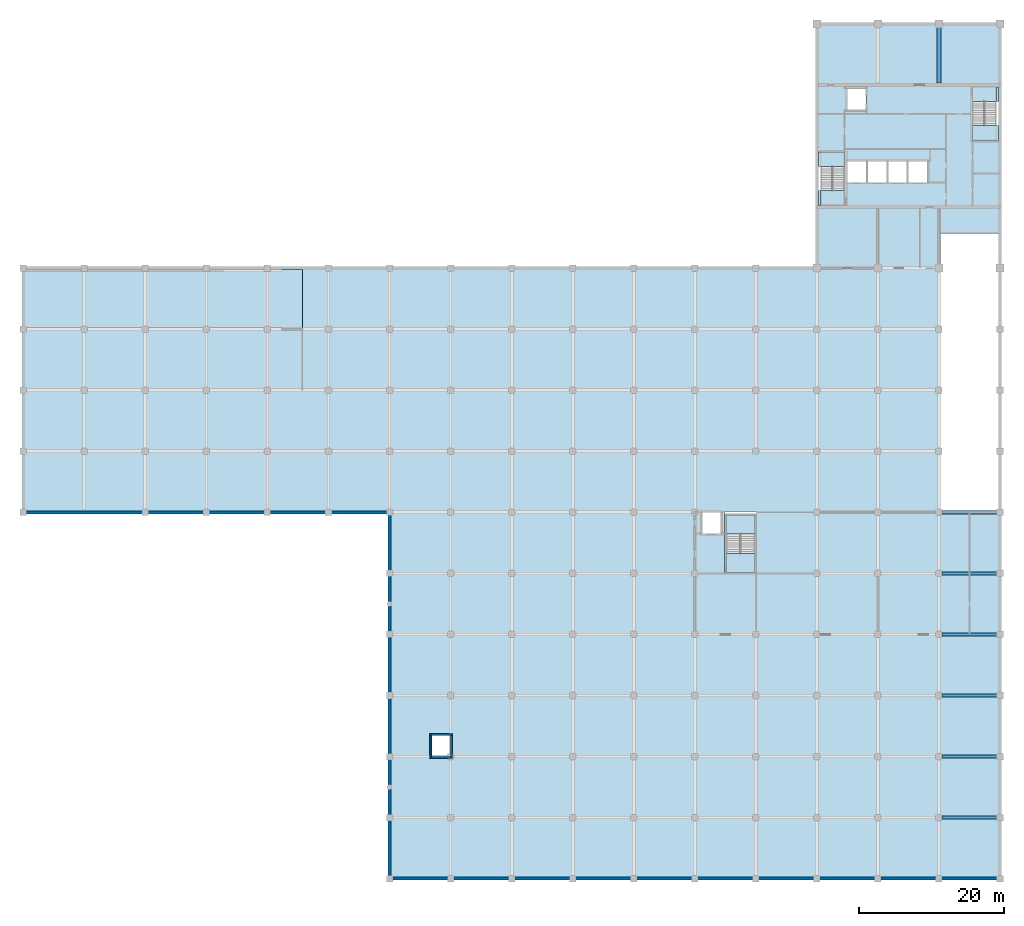
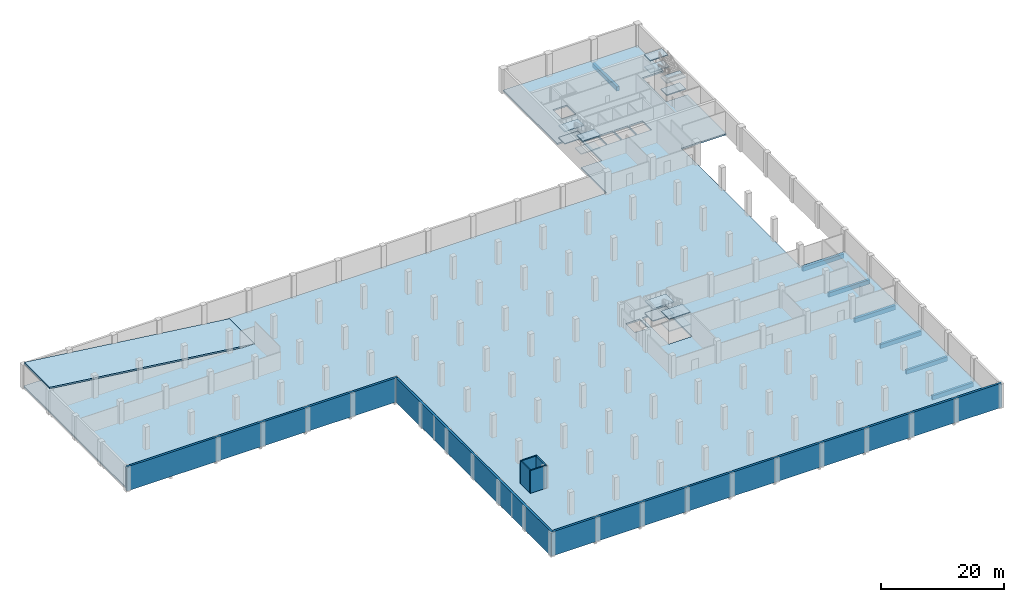
# One storey, part 3 of 13: 14 slabs, 7 beams, 7 walls, 3 elements without a shape of their own.
"""IFC4 building model written with IfcOpenShell, lengths in metres."""

from ifc_helpers import new_model, si_unit, direction, frame, frame_2d, origin, origin_2d, place, context, subcontext, project, spatial, polyline, rectangle, outline, extrude, material, layer, layer_set, material_profile, profile_set, type_object, element, aggregate, save


model = new_model("IFC4")

# Units and contexts
model_context = context("Model", 3, precision=1e-05, world=origin(), true_north=direction((0.0, 1.0)))
body_context = subcontext(model_context, "Body", "Model", "MODEL_VIEW")
ifc_project = project(units=[si_unit("LENGTHUNIT", "METRE"), si_unit("AREAUNIT", "SQUARE_METRE"), si_unit("VOLUMEUNIT", "CUBIC_METRE"), si_unit("PLANEANGLEUNIT", "RADIAN"), si_unit("MASSUNIT", "GRAM", prefix="KILO")], contexts=[model_context])

# Site, building, storey
site_placement = place(None, origin())
site = spatial("IfcSite", under=ifc_project, at=site_placement, CompositionType="ELEMENT")
building_placement = place(site_placement, origin())
building = spatial("IfcBuilding", under=site, at=building_placement, Name="Rulbaag Community and Learning Centre", CompositionType="ELEMENT")
storey_placement = place(building_placement, frame((0.0, 0.0, -4.800048828125)))
storey = spatial("IfcBuildingStorey", under=building, at=storey_placement, Name="B1", CompositionType="ELEMENT", Elevation=-4.800048828125)

# Beams
ifc_material_1 = material(Name="Concrete M40", Category="concrete")
ifc_material_profile_1 = material_profile(ifc_material_1, rectangle(XDim=0.5, YDim=0.85009765625, at=origin_2d()), Name="RB500x850")
ifc_profile_set_1 = profile_set([ifc_material_profile_1], Name="Concrete M40")
beam_type_1 = type_object("IfcBeamType", Name="B18 Core-framing beam, lower zone 500x850 Concrete M40", PredefinedType="BEAM", material=ifc_profile_set_1)
beam_placement = place(storey_placement, frame((159.60009765625, 109.449951171875, -0.724853515625), z_axis=(0.0, 1.0, 0.0), x_axis=(-1.0, 0.0, 0.0)))
element("IfcBeam", 1, at=beam_placement, inside=storey, type_object=beam_type_1, Name="BM-B1-20N-20O", PredefinedType="BEAM", context=body_context, shape_type="SweptSolid", body=[
    extrude(rectangle(XDim=0.5, YDim=0.85009765625, at=origin_2d()), origin(), (0.0, 0.0, 1.0), 7.85009765625),
])
ifc_material_profile_2 = material_profile(ifc_material_1, rectangle(XDim=0.449951171875, YDim=0.85009765625, at=origin_2d()), Name="RB450x850")
ifc_profile_set_2 = profile_set([ifc_material_profile_2], Name="Concrete M40")
beam_type_2 = type_object("IfcBeamType", Name="B24 Basement floor beam 450x850 Concrete M40", PredefinedType="BEAM", material=ifc_profile_set_2)
for number, where, z_axis, x_axis, name in (
    (2, (160.030029296875, 8.39990234375, -0.724853515625), (1.0, 0.0, 0.0), (0.0, 1.0, 0.0), "BM-B1-20B-21B"),
    (3, (160.030029296875, 16.800048828125, -0.724853515625), (1.0, 0.0, 0.0), (0.0, 1.0, 0.0), "BM-B1-20C-21C"),
    (4, (160.030029296875, 25.199951171875, -0.724853515625), (1.0, 0.0, 0.0), (0.0, 1.0, 0.0), "BM-B1-20D-21D"),
    (5, (160.030029296875, 33.60009765625, -0.724853515625), (1.0, 0.0, 0.0), (0.0, 1.0, 0.0), "BM-B1-20E-21E"),
    (6, (160.030029296875, 42.0, -0.724853515625), (1.0, 0.0, 0.0), (0.0, 1.0, 0.0), "BM-B1-20F-21F"),
    (7, (160.030029296875, 50.39990234375, -0.724853515625), (1.0, 0.0, 0.0), (0.0, 1.0, 0.0), "BM-B1-20G-21G"),
):
    element("IfcBeam", number, at=place(storey_placement, frame(where, z_axis=z_axis, x_axis=x_axis)), inside=storey, type_object=beam_type_2, Name=name, PredefinedType="BEAM", context=body_context, shape_type="SweptSolid", body=[
        extrude(rectangle(XDim=0.449951171875, YDim=0.85009765625, at=origin_2d()), origin(), (0.0, 0.0, 1.0), 7.669921875),
    ])

# Stair, slabs
stair_type_1 = type_object("IfcStairType", Name="ST-2000 STAIR 2000 WIDE", PredefinedType="HALF_TURN_STAIR", material=ifc_material_1)
stair_1_placement = place(storey_placement, origin())
stair_1 = element("IfcStair", 8, at=stair_1_placement, inside=storey, type_object=stair_type_1, Name="Stair ST-H3 B1", PredefinedType="HALF_TURN_STAIR")
ifc_layer_1 = layer(ifc_material_1, 0.179931640625)
ifc_layer_set_1 = layer_set([ifc_layer_1], Name="LN-180 LANDING 180 Concrete M40")
slab_type_1 = type_object("IfcSlabType", Name="LN-180 LANDING 180 Concrete M40", PredefinedType="LANDING", material=ifc_layer_set_1)
slab_1_placement = place(storey_placement, frame((0.0, 0.0, 1.02001953125)))
slab_1 = element("IfcSlab", 9, at=slab_1_placement, type_object=slab_type_1, Name="ST-H3 landing 1", PredefinedType="LANDING", context=body_context, shape_type="SweptSolid", body=[
    extrude(outline(polyline([(130.300048828125, 47.41259765625), (130.300048828125, 50.02490234375), (134.300048828125, 50.02490234375), (134.300048828125, 47.41259765625), (130.300048828125, 47.41259765625)])), origin(), (0.0, 0.0, 1.0), 0.179931640625),
])
slab_2_placement = place(storey_placement, frame((0.0, 0.0, 2.219970703125)))
slab_2 = element("IfcSlab", 10, at=slab_2_placement, type_object=slab_type_1, Name="ST-H3 landing 2", PredefinedType="LANDING", context=body_context, shape_type="SweptSolid", body=[
    extrude(outline(polyline([(130.300048828125, 42.10009765625), (130.300048828125, 44.71240234375), (134.300048828125, 44.71240234375), (134.300048828125, 42.10009765625), (130.300048828125, 42.10009765625)])), origin(), (0.0, 0.0, 1.0), 0.18017578125),
])
slab_3_placement = place(storey_placement, frame((0.0, 0.0, 3.420166015625)))
slab_3 = element("IfcSlab", 11, at=slab_3_placement, type_object=slab_type_1, Name="ST-H3 landing 3", PredefinedType="LANDING", context=body_context, shape_type="SweptSolid", body=[
    extrude(outline(polyline([(130.300048828125, 47.41259765625), (130.300048828125, 50.02490234375), (134.300048828125, 50.02490234375), (134.300048828125, 47.41259765625), (130.300048828125, 47.41259765625)])), origin(), (0.0, 0.0, 1.0), 0.179931640625),
])
slab_4_placement = place(storey_placement, frame((0.0, 0.0, 4.6201171875)))
slab_4 = element("IfcSlab", 12, at=slab_4_placement, type_object=slab_type_1, Name="ST-H3 landing 4", PredefinedType="LANDING", context=body_context, shape_type="SweptSolid", body=[
    extrude(outline(polyline([(130.300048828125, 42.10009765625), (130.300048828125, 44.71240234375), (134.300048828125, 44.71240234375), (134.300048828125, 42.10009765625), (130.300048828125, 42.10009765625)])), origin(), (0.0, 0.0, 1.0), 0.179931640625),
])
aggregate(stair_1, [slab_1, slab_2, slab_3, slab_4])

stair_type_2 = type_object("IfcStairType", Name="ST-1650 STAIR 1650 WIDE", PredefinedType="HALF_TURN_STAIR", material=ifc_material_1)
stair_2_placement = place(storey_placement, origin())
stair_2 = element("IfcStair", 13, at=stair_2_placement, inside=storey, type_object=stair_type_2, Name="Stair ST1 B1", PredefinedType="HALF_TURN_STAIR")
slab_5_placement = place(storey_placement, frame((0.0, 0.0, 1.02001953125)))
slab_5 = element("IfcSlab", 14, at=slab_5_placement, type_object=slab_type_1, Name="ST1 landing 1", PredefinedType="LANDING", context=body_context, shape_type="SweptSolid", body=[
    extrude(outline(polyline([(143.0, 97.97509765625), (143.0, 100.0), (146.60009765625, 100.0), (146.60009765625, 97.97509765625), (143.0, 97.97509765625)])), origin(), (0.0, 0.0, 1.0), 0.179931640625),
])
slab_6_placement = place(storey_placement, frame((0.0, 0.0, 2.219970703125)))
slab_6 = element("IfcSlab", 15, at=slab_6_placement, type_object=slab_type_1, Name="ST1 landing 2", PredefinedType="LANDING", context=body_context, shape_type="SweptSolid", body=[
    extrude(outline(polyline([(143.0, 92.64990234375), (143.0, 94.675048828125), (146.60009765625, 94.675048828125), (146.60009765625, 92.64990234375), (143.0, 92.64990234375)])), origin(), (0.0, 0.0, 1.0), 0.18017578125),
])
slab_7_placement = place(storey_placement, frame((0.0, 0.0, 3.420166015625)))
slab_7 = element("IfcSlab", 16, at=slab_7_placement, type_object=slab_type_1, Name="ST1 landing 3", PredefinedType="LANDING", context=body_context, shape_type="SweptSolid", body=[
    extrude(outline(polyline([(143.0, 97.97509765625), (143.0, 100.0), (146.60009765625, 100.0), (146.60009765625, 97.97509765625), (143.0, 97.97509765625)])), origin(), (0.0, 0.0, 1.0), 0.179931640625),
])
slab_8_placement = place(storey_placement, frame((0.0, 0.0, 4.6201171875)))
slab_8 = element("IfcSlab", 17, at=slab_8_placement, type_object=slab_type_1, Name="ST1 landing 4", PredefinedType="LANDING", context=body_context, shape_type="SweptSolid", body=[
    extrude(outline(polyline([(143.300048828125, 92.64990234375), (143.300048828125, 94.675048828125), (146.60009765625, 94.675048828125), (146.60009765625, 92.64990234375), (143.300048828125, 92.64990234375)])), origin(), (0.0, 0.0, 1.0), 0.179931640625),
])
aggregate(stair_2, [slab_5, slab_6, slab_7, slab_8])

stair_3_placement = place(storey_placement, origin())
stair_3 = element("IfcStair", 18, at=stair_3_placement, inside=storey, type_object=stair_type_2, Name="Stair ST2 B1", PredefinedType="HALF_TURN_STAIR")
slab_9_placement = place(storey_placement, frame((0.0, 0.0, 1.02001953125)))
slab_9 = element("IfcSlab", 19, at=slab_9_placement, type_object=slab_type_1, Name="ST2 landing 1", PredefinedType="LANDING", context=body_context, shape_type="SweptSolid", body=[
    extrude(outline(polyline([(164.199951171875, 101.60009765625), (164.199951171875, 103.625), (167.800048828125, 103.625), (167.800048828125, 101.60009765625), (164.199951171875, 101.60009765625)])), origin(), (0.0, 0.0, 1.0), 0.179931640625),
])
slab_10_placement = place(storey_placement, frame((0.0, 0.0, 2.219970703125)))
slab_10 = element("IfcSlab", 20, at=slab_10_placement, type_object=slab_type_1, Name="ST2 landing 2", PredefinedType="LANDING", context=body_context, shape_type="SweptSolid", body=[
    extrude(outline(polyline([(164.199951171875, 106.925048828125), (164.199951171875, 108.949951171875), (167.800048828125, 108.949951171875), (167.800048828125, 106.925048828125), (164.199951171875, 106.925048828125)])), origin(), (0.0, 0.0, 1.0), 0.18017578125),
])
slab_11_placement = place(storey_placement, frame((0.0, 0.0, 3.420166015625)))
slab_11 = element("IfcSlab", 21, at=slab_11_placement, type_object=slab_type_1, Name="ST2 landing 3", PredefinedType="LANDING", context=body_context, shape_type="SweptSolid", body=[
    extrude(outline(polyline([(164.199951171875, 101.60009765625), (164.199951171875, 103.625), (167.800048828125, 103.625), (167.800048828125, 101.60009765625), (164.199951171875, 101.60009765625)])), origin(), (0.0, 0.0, 1.0), 0.179931640625),
])
slab_12_placement = place(storey_placement, frame((0.0, 0.0, 4.6201171875)))
slab_12 = element("IfcSlab", 22, at=slab_12_placement, type_object=slab_type_1, Name="ST2 landing 4", PredefinedType="LANDING", context=body_context, shape_type="SweptSolid", body=[
    extrude(outline(polyline([(164.199951171875, 106.925048828125), (164.199951171875, 108.949951171875), (167.5, 108.949951171875), (167.5, 106.925048828125), (164.199951171875, 106.925048828125)])), origin(), (0.0, 0.0, 1.0), 0.179931640625),
])
aggregate(stair_3, [slab_9, slab_10, slab_11, slab_12])

# Slabs
ifc_material_2 = material(Name="Concrete M35", Category="concrete")
ifc_layer_2 = layer(ifc_material_2, 0.300048828125)
ifc_layer_set_2 = layer_set([ifc_layer_2], Name="S2 Ramp slab 300 Concrete M35")
slab_type_2 = type_object("IfcSlabType", Name="S2 Ramp slab 300 Concrete M35", PredefinedType="USERDEFINED", material=ifc_layer_set_2)
slab_13_placement = place(storey_placement, frame((33.60009765625, 75.60009765625, 4.800048828125), z_axis=(0.124036287512, 0.0, 0.992277682597), x_axis=(0.992277682597, 0.0, -0.124036287512)))
element("IfcSlab", 23, at=slab_13_placement, inside=storey, type_object=slab_type_2, Name="SL-R1", ObjectType="RAMP", PredefinedType="USERDEFINED", context=body_context, shape_type="SweptSolid", body=[
    extrude(outline(polyline([(0.0, 0.0), (38.698746346127564, 0.0), (38.698746346127564, 8.199951171874998), (0.0, 8.199951171874998), (0.0, 0.0)])), origin(), (0.0, 0.0, -1.0), 0.300048828125),
])
ifc_layer_3 = layer(ifc_material_1, 0.300048828125)
ifc_layer_set_3 = layer_set([ifc_layer_3], Name="S5 Floor slab 300 Concrete M40")
slab_type_3 = type_object("IfcSlabType", Name="S5 Floor slab 300 Concrete M40", PredefinedType="FLOOR", material=ifc_layer_set_3)
slab_14_placement = place(storey_placement, frame((0.0, 0.0, -0.300048828125)))
element("IfcSlab", 24, at=slab_14_placement, inside=storey, type_object=slab_type_3, Name="SL-B1-C01", PredefinedType="FLOOR", context=body_context, shape_type="SweptSolid", body=[
    extrude(outline(polyline([(168.0, 0.0), (84.0, 0.0), (84.0, 50.39990234375), (33.60009765625, 50.39990234375), (33.60009765625, 84.0), (142.800048828125, 84.0), (142.800048828125, 92.300048828125), (146.699951171875, 92.300048828125), (146.699951171875, 100.10009765625), (142.800048828125, 100.10009765625), (142.800048828125, 117.60009765625), (168.0, 117.60009765625), (168.0, 109.300048828125), (164.10009765625, 109.300048828125), (164.10009765625, 101.5), (168.0, 101.5), (168.0, 88.800048828125), (167.699951171875, 88.800048828125), (167.699951171875, 88.860107421875), (159.60009765625, 88.860107421875), (159.60009765625, 50.39990234375), (168.0, 50.39990234375), (168.0, 0.0)]), holes=[polyline([(89.800048828125, 19.699951171875), (89.800048828125, 16.800048828125), (92.39990234375, 16.800048828125), (92.39990234375, 19.699951171875), (89.800048828125, 19.699951171875)]), polyline([(134.5, 50.5), (130.10009765625, 50.5), (130.10009765625, 41.89990234375), (134.5, 41.89990234375), (134.5, 50.5)]), polyline([(129.60009765625, 50.39990234375), (127.0, 50.39990234375), (127.0, 47.5), (129.60009765625, 47.5), (129.60009765625, 50.39990234375)]), polyline([(69.53125, 83.800048828125), (69.53125, 75.60009765625), (72.0, 75.60009765625), (72.0, 83.800048828125), (69.53125, 83.800048828125)]), polyline([(149.60009765625, 98.699951171875), (147.0, 98.699951171875), (147.0, 95.800048828125), (149.60009765625, 95.800048828125), (149.60009765625, 98.699951171875)]), polyline([(147.0, 108.699951171875), (147.0, 105.800048828125), (149.60009765625, 105.800048828125), (149.60009765625, 108.699951171875), (147.0, 108.699951171875)]), polyline([(152.39990234375, 98.699951171875), (149.800048828125, 98.699951171875), (149.800048828125, 95.800048828125), (152.39990234375, 95.800048828125), (152.39990234375, 98.699951171875)]), polyline([(155.199951171875, 98.699951171875), (152.60009765625, 98.699951171875), (152.60009765625, 95.800048828125), (155.199951171875, 95.800048828125), (155.199951171875, 98.699951171875)]), polyline([(158.0, 98.699951171875), (155.39990234375, 98.699951171875), (155.39990234375, 95.800048828125), (158.0, 95.800048828125), (158.0, 98.699951171875)])]), origin(), (0.0, 0.0, 1.0), 0.300048828125),
])

# Walls
ifc_layer_4 = layer(ifc_material_1, 0.39990234375)
ifc_layer_set_4 = layer_set([ifc_layer_4], Name="W10 Retaining wall 400 Concrete M40")
wall_type_1 = type_object("IfcWallType", Name="W10 Retaining wall 400 Concrete M40", PredefinedType="SOLIDWALL", material=ifc_layer_set_4)
wall_placement = place(storey_placement, frame((83.800048828125, 0.0, -0.300048828125), z_axis=(0.0, 0.0, 1.0), x_axis=(1.0, 0.0, 0.0)))
element("IfcWall", 25, at=wall_placement, inside=storey, type_object=wall_type_1, Name="WL-RET-1-B1", PredefinedType="SOLIDWALL", context=body_context, shape_type="SweptSolid", body=[
    extrude(rectangle(XDim=84.39990234375, YDim=0.39990234375, at=frame_2d((42.199951171875, 0.0))), origin(), (0.0, 0.0, 1.0), 4.800048828125),
])
for number, where, z_axis, x_axis, name in (
    (26, (33.39990234375, 50.39990234375, -0.300048828125), (0.0, 0.0, 1.0), (1.0, 0.0, 0.0), "WL-RET-7-B1"),
    (27, (84.0, 50.60009765625, -0.300048828125), (0.0, 0.0, 1.0), (0.0, -1.0, 0.0), "WL-RET-8-B1"),
):
    element("IfcWall", number, at=place(storey_placement, frame(where, z_axis=z_axis, x_axis=x_axis)), inside=storey, type_object=wall_type_1, Name=name, PredefinedType="SOLIDWALL", context=body_context, shape_type="SweptSolid", body=[
        extrude(rectangle(XDim=50.800048828125, YDim=0.39990234375, at=frame_2d((25.39990234375, 0.0))), origin(), (0.0, 0.0, 1.0), 4.800048828125),
    ])
ifc_layer_5 = layer(ifc_material_1, 0.25)
ifc_layer_set_5 = layer_set([ifc_layer_5], Name="W8 Lift shaft wall 250 Concrete M40")
wall_type_2 = type_object("IfcWallType", Name="W8 Lift shaft wall 250 Concrete M40", PredefinedType="SHEAR", material=ifc_layer_set_5)
for number, where, z_axis, x_axis, name in (
    (28, (89.550048828125, 16.675048828125, -0.300048828125), (0.0, 0.0, 1.0), (1.0, 0.0, 0.0), "WL-LH2-S-B1"),
    (29, (89.550048828125, 19.824951171875, -0.300048828125), (0.0, 0.0, 1.0), (1.0, 0.0, 0.0), "WL-LH2-N-B1"),
):
    element("IfcWall", number, at=place(storey_placement, frame(where, z_axis=z_axis, x_axis=x_axis)), inside=storey, type_object=wall_type_2, Name=name, PredefinedType="SHEAR", context=body_context, shape_type="SweptSolid", body=[
        extrude(rectangle(XDim=3.099853515625, YDim=0.25, at=frame_2d((1.5498046875, 0.0))), origin(), (0.0, 0.0, 1.0), 4.800048828125),
    ])
for number, where, z_axis, x_axis, name in (
    (30, (89.675048828125, 16.800048828125, -0.300048828125), (0.0, 0.0, 1.0), (0.0, 1.0, 0.0), "WL-LH2-W-B1"),
    (31, (92.52490234375, 16.800048828125, -0.300048828125), (0.0, 0.0, 1.0), (0.0, 1.0, 0.0), "WL-LH2-E-B1"),
):
    element("IfcWall", number, at=place(storey_placement, frame(where, z_axis=z_axis, x_axis=x_axis)), inside=storey, type_object=wall_type_2, Name=name, PredefinedType="SHEAR", context=body_context, shape_type="SweptSolid", body=[
        extrude(rectangle(XDim=2.89990234375, YDim=0.25, at=frame_2d((1.449951171875, 0.0))), origin(), (0.0, 0.0, 1.0), 4.800048828125),
    ])

save(model, "model.ifc")
